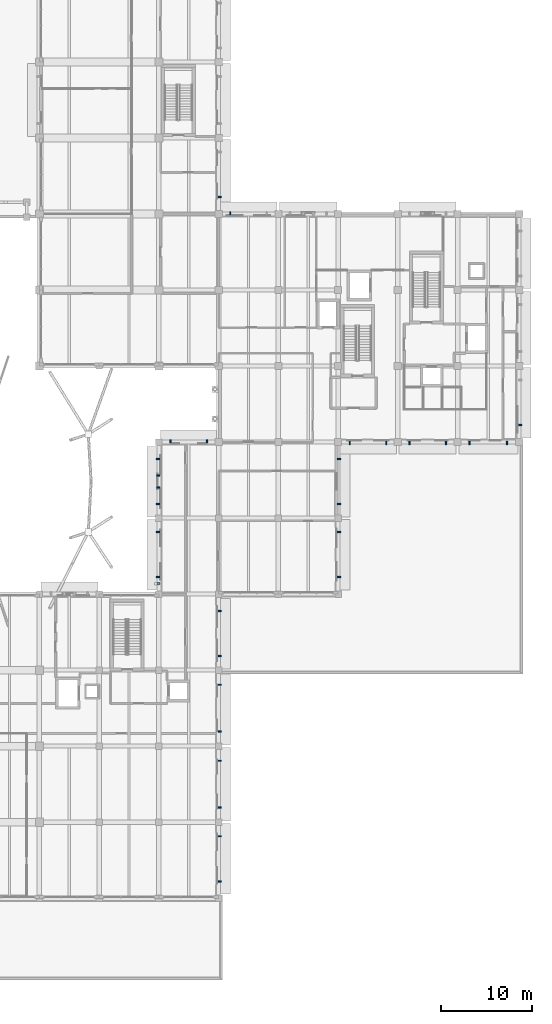
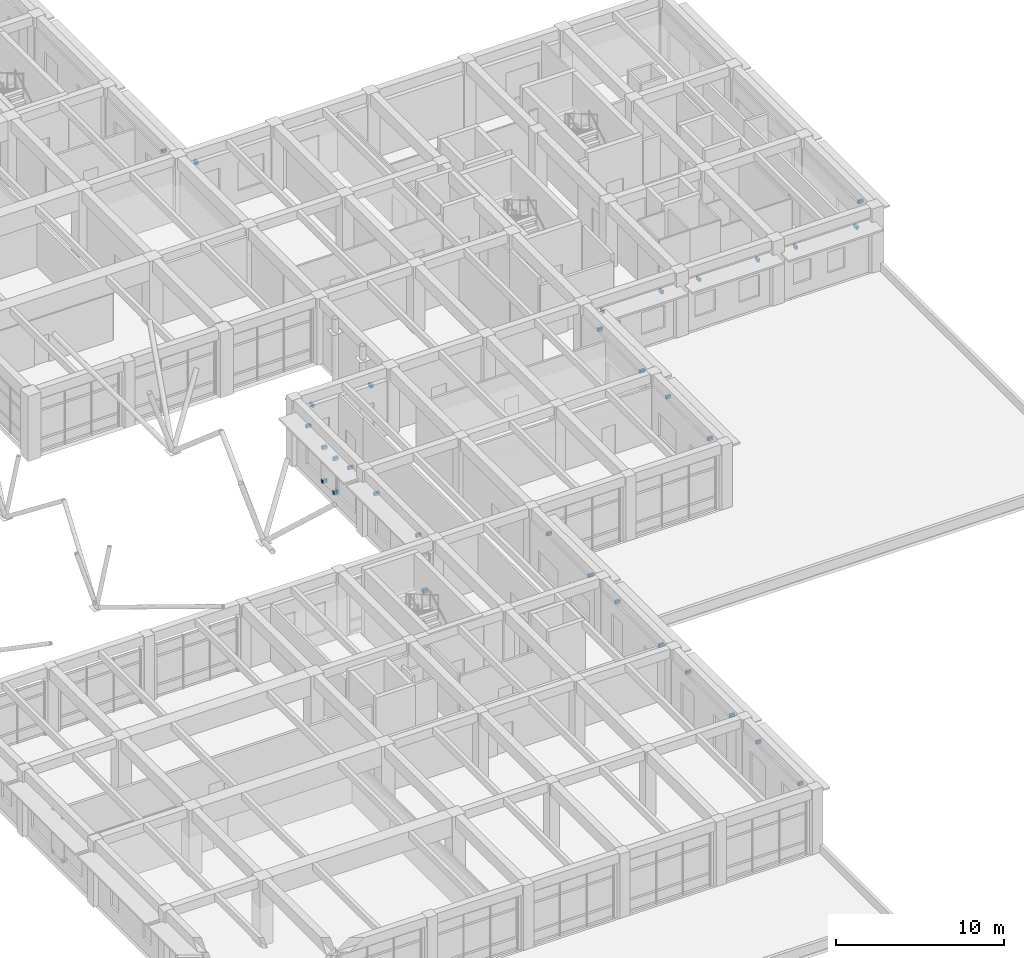
# One storey, part 62 of 75: 32 discrete accessories.
"""IFC4 building model written with IfcOpenShell, lengths in metres."""

from ifc_helpers import new_model, si_unit, direction, frame, origin, origin_2d, place, context, subcontext, project, spatial, rectangle, extrude, material, type_object, element, save


model = new_model("IFC4")

# Units and contexts
model_context = context("Model", 3, precision=1e-05, world=origin(), true_north=direction((0.0, 1.0)))
body_context = subcontext(model_context, "Body", "Model", "MODEL_VIEW")
ifc_project = project(units=[si_unit("LENGTHUNIT", "METRE"), si_unit("AREAUNIT", "SQUARE_METRE"), si_unit("VOLUMEUNIT", "CUBIC_METRE"), si_unit("PLANEANGLEUNIT", "RADIAN"), si_unit("MASSUNIT", "GRAM", prefix="KILO")], contexts=[model_context])

# Site, building, storey
site_placement = place(None, origin())
site = spatial("IfcSite", under=ifc_project, at=site_placement, CompositionType="ELEMENT")
building_placement = place(site_placement, origin())
building = spatial("IfcBuilding", under=site, at=building_placement, Name="Kolvaren Faculty of Natural Sciences", CompositionType="ELEMENT")
storey_placement = place(building_placement, frame((0.0, 0.0, 5.39990234375)))
storey = spatial("IfcBuildingStorey", under=building, at=storey_placement, Name="L01", CompositionType="ELEMENT", Elevation=5.39990234375)

# Discrete accessories
ifc_material = material(Name="Structural steel EN 10025-2 S355J2", Category="steel")
discrete_accessory_type = type_object("IfcDiscreteAccessoryType", Name="FacadeSupportBracket_260", PredefinedType="BRACKET", material=ifc_material)
discrete_accessory_placement = place(storey_placement, frame((132.159912109375, 43.3701171875, 0.1103515625), z_axis=(0.0, 0.0, 1.0), x_axis=(0.0, 1.0, 0.0)))
element("IfcDiscreteAccessory", 1, at=discrete_accessory_placement, inside=storey, type_object=discrete_accessory_type, Name="L01 facade relief pier anchor bracket 1", PredefinedType="BRACKET", context=body_context, shape_type="SweptSolid", body=[
    extrude(rectangle(XDim=0.239990234375, YDim=0.360107421875, at=origin_2d()), origin(), (0.0, 0.0, 1.0), 0.219970703125),
])
for number, where, z_axis, x_axis, name in (
    (2, (132.10009765625, 44.0703125, 3.71533203125), (0.0, 0.0, 1.0), (0.0, 1.0, 0.0), "L01 chhajja hood steel bracket"),
    (3, (132.10009765625, 49.049560546875, 3.71533203125), (0.0, 0.0, 1.0), (0.0, 1.0, 0.0), "L01 chhajja hood steel bracket"),
    (4, (132.10009765625, 52.150390625, 3.71533203125), (0.0, 0.0, 1.0), (0.0, 1.0, 0.0), "L01 chhajja hood steel bracket"),
    (5, (132.10009765625, 57.129638671875, 3.71533203125), (0.0, 0.0, 1.0), (0.0, 1.0, 0.0), "L01 chhajja hood steel bracket"),
):
    element("IfcDiscreteAccessory", number, at=place(storey_placement, frame(where, z_axis=z_axis, x_axis=x_axis)), inside=storey, type_object=discrete_accessory_type, Name=name, PredefinedType="BRACKET", context=body_context, shape_type="SweptSolid", body=[
        extrude(rectangle(XDim=0.159912109375, YDim=0.340087890625, at=origin_2d()), origin(), (0.0, 0.0, 1.0), 0.219970703125),
    ])
for number, where, z_axis, x_axis, name in (
    (6, (132.139892578125, 53.97509765625, 0.8203125), (0.0, 0.0, 1.0), (0.0, 1.0, 0.0), "L01 jali screen wall bracket"),
    (7, (132.139892578125, 55.304931640625, 0.8203125), (0.0, 0.0, 1.0), (0.0, 1.0, 0.0), "L01 jali screen wall bracket"),
    (8, (132.139892578125, 53.97509765625, 3.26025390625), (0.0, 0.0, 1.0), (0.0, 1.0, 0.0), "L01 jali screen wall bracket"),
    (9, (132.139892578125, 55.304931640625, 3.26025390625), (0.0, 0.0, 1.0), (0.0, 1.0, 0.0), "L01 jali screen wall bracket"),
):
    element("IfcDiscreteAccessory", number, at=place(storey_placement, frame(where, z_axis=z_axis, x_axis=x_axis)), inside=storey, type_object=discrete_accessory_type, Name=name, PredefinedType="BRACKET", context=body_context, shape_type="SweptSolid", body=[
        extrude(rectangle(XDim=0.179931640625, YDim=0.320068359375, at=origin_2d()), origin(), (0.0, 0.0, 1.0), 0.219970703125),
    ])
for number, where, z_axis, x_axis, name in (
    (10, (133.48388671875, 59.10009765625, 3.56494140625), (0.0, 0.0, 1.0), (1.0, 0.0, 0.0), "L01 chhajja hood steel bracket"),
    (11, (137.51611328125, 59.10009765625, 3.56494140625), (0.0, 0.0, 1.0), (1.0, 0.0, 0.0), "L01 chhajja hood steel bracket"),
    (12, (138.89990234375, 86.0703125, 3.71533203125), (0.0, 0.0, 1.0), (0.0, -1.0, 0.0), "L01 chhajja hood steel bracket"),
    (13, (140.083984375, 84.300048828125, 3.56494140625), (0.0, 0.0, 1.0), (1.0, 0.0, 0.0), "L01 chhajja hood steel bracket"),
    (14, (172.10009765625, 60.870361328125, 3.71533203125), (0.0, 0.0, 1.0), (0.0, -1.0, 0.0), "L01 chhajja hood steel bracket"),
    (15, (170.679931640625, 58.89990234375, 3.56494140625), (0.0, 0.0, 1.0), (-1.0, 0.0, 0.0), "L01 chhajja hood steel bracket"),
    (16, (166.52001953125, 58.89990234375, 3.56494140625), (0.0, 0.0, 1.0), (-1.0, 0.0, 0.0), "L01 chhajja hood steel bracket"),
    (17, (163.916015625, 58.89990234375, 3.56494140625), (0.0, 0.0, 1.0), (-1.0, 0.0, 0.0), "L01 chhajja hood steel bracket"),
    (18, (159.884033203125, 58.89990234375, 3.56494140625), (0.0, 0.0, 1.0), (-1.0, 0.0, 0.0), "L01 chhajja hood steel bracket"),
    (19, (157.31591796875, 58.89990234375, 3.56494140625), (0.0, 0.0, 1.0), (-1.0, 0.0, 0.0), "L01 chhajja hood steel bracket"),
    (20, (153.283935546875, 58.89990234375, 3.56494140625), (0.0, 0.0, 1.0), (-1.0, 0.0, 0.0), "L01 chhajja hood steel bracket"),
    (21, (152.10009765625, 57.129638671875, 3.71533203125), (0.0, 0.0, 1.0), (0.0, -1.0, 0.0), "L01 chhajja hood steel bracket"),
    (22, (152.10009765625, 52.150390625, 3.71533203125), (0.0, 0.0, 1.0), (0.0, -1.0, 0.0), "L01 chhajja hood steel bracket"),
    (23, (152.10009765625, 49.049560546875, 3.71533203125), (0.0, 0.0, 1.0), (0.0, -1.0, 0.0), "L01 chhajja hood steel bracket"),
    (24, (152.10009765625, 44.0703125, 3.71533203125), (0.0, 0.0, 1.0), (0.0, -1.0, 0.0), "L01 chhajja hood steel bracket"),
    (25, (138.89990234375, 40.32958984375, 3.71533203125), (0.0, 0.0, 1.0), (0.0, -1.0, 0.0), "L01 chhajja hood steel bracket"),
    (26, (138.89990234375, 35.350341796875, 3.71533203125), (0.0, 0.0, 1.0), (0.0, -1.0, 0.0), "L01 chhajja hood steel bracket"),
    (27, (138.89990234375, 32.19189453125, 3.71533203125), (0.0, 0.0, 1.0), (0.0, -1.0, 0.0), "L01 chhajja hood steel bracket"),
    (28, (138.89990234375, 27.008056640625, 3.71533203125), (0.0, 0.0, 1.0), (0.0, -1.0, 0.0), "L01 chhajja hood steel bracket"),
    (29, (138.89990234375, 23.7919921875, 3.71533203125), (0.0, 0.0, 1.0), (0.0, -1.0, 0.0), "L01 chhajja hood steel bracket"),
    (30, (138.89990234375, 18.60791015625, 3.71533203125), (0.0, 0.0, 1.0), (0.0, -1.0, 0.0), "L01 chhajja hood steel bracket"),
    (31, (138.89990234375, 15.44970703125, 3.71533203125), (0.0, 0.0, 1.0), (0.0, -1.0, 0.0), "L01 chhajja hood steel bracket"),
    (32, (138.89990234375, 10.470458984375, 3.71533203125), (0.0, 0.0, 1.0), (0.0, -1.0, 0.0), "L01 chhajja hood steel bracket"),
):
    element("IfcDiscreteAccessory", number, at=place(storey_placement, frame(where, z_axis=z_axis, x_axis=x_axis)), inside=storey, type_object=discrete_accessory_type, Name=name, PredefinedType="BRACKET", context=body_context, shape_type="SweptSolid", body=[
        extrude(rectangle(XDim=0.159912109375, YDim=0.340087890625, at=origin_2d()), origin(), (0.0, 0.0, 1.0), 0.219970703125),
    ])

save(model, "model.ifc")
